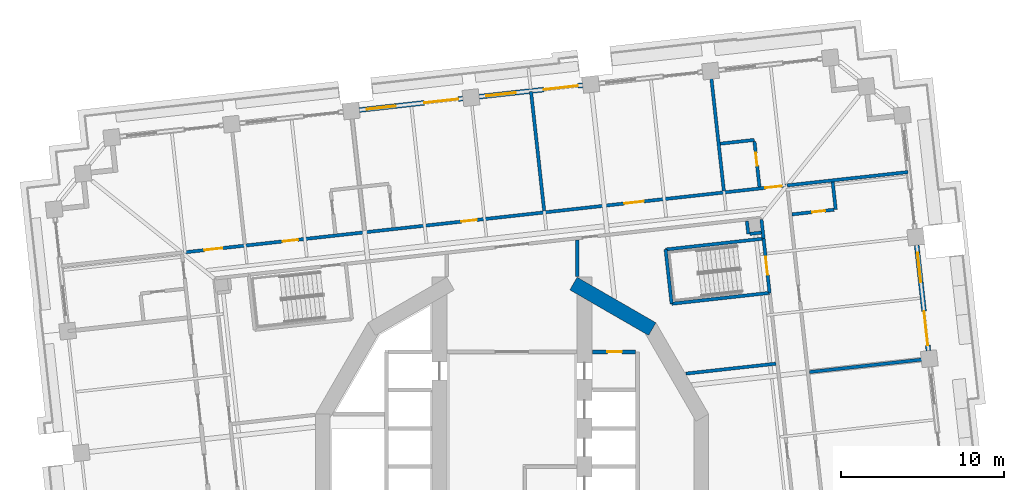
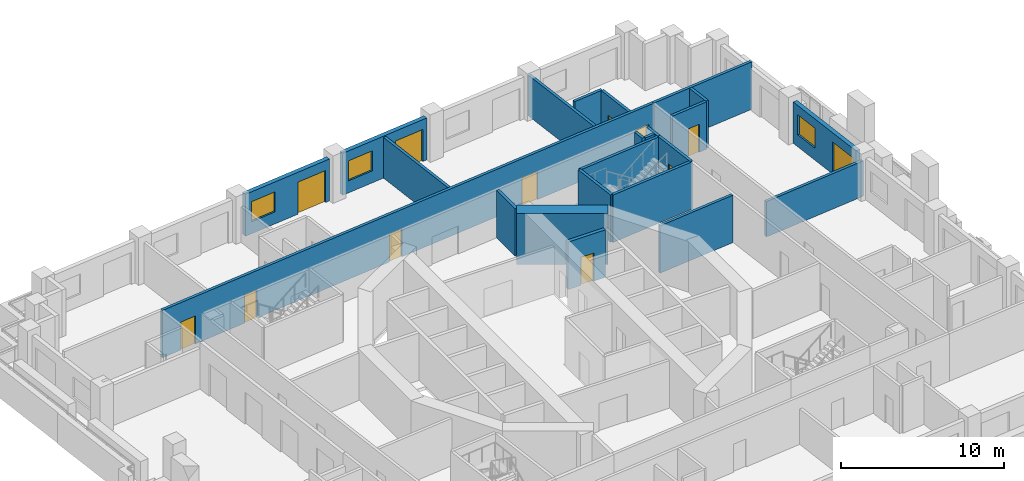
# One storey, part 9 of 19: 23 walls, 12 doors, 3 windows, 15 openings.
"""IFC4 building model written with IfcOpenShell, lengths in metres."""

from ifc_helpers import new_model, si_unit, direction, frame, frame_2d, origin, place, context, subcontext, project, spatial, rectangle, extrude, material, layer, layer_set, type_object, element, fill, save


model = new_model("IFC4")

# Units and contexts
model_context = context("Model", 3, precision=1e-05, world=origin(), true_north=direction((0.0, 1.0)))
body_context = subcontext(model_context, "Body", "Model", "MODEL_VIEW")
ifc_project = project(units=[si_unit("LENGTHUNIT", "METRE"), si_unit("AREAUNIT", "SQUARE_METRE"), si_unit("VOLUMEUNIT", "CUBIC_METRE"), si_unit("PLANEANGLEUNIT", "RADIAN"), si_unit("MASSUNIT", "GRAM", prefix="KILO")], contexts=[model_context])

# Site, building, storey
site_placement = place(None, origin())
site = spatial("IfcSite", under=ifc_project, at=site_placement, CompositionType="ELEMENT")
building_placement = place(site_placement, origin())
building = spatial("IfcBuilding", under=site, at=building_placement, Name="Cantera Rosa Tower", CompositionType="ELEMENT")
storey_placement = place(building_placement, frame((0.0, 0.0, 65.300048828125)))
storey = spatial("IfcBuildingStorey", under=building, at=storey_placement, Name="L13", CompositionType="ELEMENT", Elevation=65.300048828125)

# Walls
ifc_material_1 = material(Name="Gypsum board partition")
ifc_layer_1 = layer(ifc_material_1, 0.199951171875)
ifc_layer_set_1 = layer_set([ifc_layer_1], Name="CORRIDOR WALL 200 H3550")
wall_type_1 = type_object("IfcWallType", Name="CORRIDOR WALL 200 H3550", PredefinedType="PARTITIONING", material=ifc_layer_set_1)
wall_1_placement = place(storey_placement, frame((4.0, 11.667236328125, 0.0), z_axis=(0.0, 0.0, 1.0), x_axis=(0.0, 1.0, 0.0)))
element("IfcWall", 1, at=wall_1_placement, inside=storey, type_object=wall_type_1, Name="CORRIDOR WALL L13-061", PredefinedType="PARTITIONING", context=body_context, shape_type="SweptSolid", body=[
    extrude(rectangle(XDim=2.259765625, YDim=0.199951171875, at=frame_2d((1.1298828125, 0.0))), origin(), (0.0, 0.0, 1.0), 3.550048828125),
])
wall_2_placement = place(storey_placement, frame((15.44970703125, 14.001708984375, 0.0), z_axis=(0.0, 0.0, 1.0), x_axis=(-0.110341316069, 0.993893753863, 0.0)))
element("IfcWall", 2, at=wall_2_placement, inside=storey, type_object=wall_type_1, Name="CORRIDOR WALL L13-088", PredefinedType="PARTITIONING", context=body_context, shape_type="SweptSolid", body=[
    extrude(rectangle(XDim=1.188232421875, YDim=0.199951171875, at=frame_2d((0.59423828125, 0.0))), origin(), (0.0, 0.0, 1.0), 3.550048828125),
])

# Wall, openings, doors
wall_3_placement = place(storey_placement, frame((16.898193359375, 17.26953125, 0.0), z_axis=(0.0, 0.0, 1.0), x_axis=(-0.993896862852, -0.11031330841, 0.0)))
wall_3 = element("IfcWall", 3, at=wall_3_placement, inside=storey, type_object=wall_type_1, Name="CORRIDOR WALL L13-092", PredefinedType="PARTITIONING", context=body_context, shape_type="SweptSolid", body=[
    extrude(rectangle(XDim=37.400146484375, YDim=0.199951171875, at=frame_2d((18.7001953125, 0.0))), origin(), (0.0, 0.0, 1.0), 3.550048828125),
])
opening_1_placement = place(wall_3_placement, frame((8.85009765625, 0.0, 0.0)))
opening_1 = element("IfcOpeningElement", 4, at=opening_1_placement, cuts=wall_3, Name="Opening L13-025", PredefinedType="OPENING", context=body_context, shape_type="SweptSolid", body=[
    extrude(rectangle(XDim=1.199951171875, YDim=2.10009765625, at=frame_2d((0.60009765625, 1.050048828125))), frame((0.0, 0.10986328125, 0.0), z_axis=(0.0, -1.0, 0.0), x_axis=(1.0, 0.0, 0.0)), (0.0, 0.0, 1.0), 0.219970703125),
])
opening_2_placement = place(wall_3_placement, frame((19.175048828125, 0.0, 0.0)))
opening_2 = element("IfcOpeningElement", 5, at=opening_2_placement, cuts=wall_3, Name="Opening L13-026", PredefinedType="OPENING", context=body_context, shape_type="SweptSolid", body=[
    extrude(rectangle(XDim=0.949951171875, YDim=2.10009765625, at=frame_2d((0.47509765625, 1.050048828125))), frame((0.0, 0.10986328125, 0.0), z_axis=(0.0, -1.0, 0.0), x_axis=(1.0, 0.0, 0.0)), (0.0, 0.0, 1.0), 0.219970703125),
])
opening_3_placement = place(wall_3_placement, frame((30.22509765625, 0.0, 0.0)))
opening_3 = element("IfcOpeningElement", 6, at=opening_3_placement, cuts=wall_3, Name="Opening L13-028", PredefinedType="OPENING", context=body_context, shape_type="SweptSolid", body=[
    extrude(rectangle(XDim=0.949951171875, YDim=2.10009765625, at=frame_2d((0.47509765625, 1.050048828125))), frame((0.0, 0.10986328125, 0.0), z_axis=(0.0, -1.0, 0.0), x_axis=(1.0, 0.0, 0.0)), (0.0, 0.0, 1.0), 0.219970703125),
])
opening_4_placement = place(wall_3_placement, frame((0.35009765625, 0.0, 0.0)))
opening_4 = element("IfcOpeningElement", 7, at=opening_4_placement, cuts=wall_3, Name="Opening L13-030", PredefinedType="OPENING", context=body_context, shape_type="SweptSolid", body=[
    extrude(rectangle(XDim=1.0, YDim=2.10009765625, at=frame_2d((0.5, 1.050048828125))), frame((0.0, 0.10986328125, 0.0), z_axis=(0.0, -1.0, 0.0), x_axis=(1.0, 0.0, 0.0)), (0.0, 0.0, 1.0), 0.219970703125),
])
opening_5_placement = place(wall_3_placement, frame((34.89990234375, 0.0, 0.0)))
opening_5 = element("IfcOpeningElement", 8, at=opening_5_placement, cuts=wall_3, Name="Opening L13-032", PredefinedType="OPENING", context=body_context, shape_type="SweptSolid", body=[
    extrude(rectangle(XDim=1.10009765625, YDim=2.10009765625, at=frame_2d((0.550048828125, 1.050048828125))), frame((0.0, 0.10986328125, 0.0), z_axis=(0.0, -1.0, 0.0), x_axis=(1.0, 0.0, 0.0)), (0.0, 0.0, 1.0), 0.219970703125),
])
ifc_material_2 = material(Name="Timber door leaf", Category="wood")
door_type_1 = type_object("IfcDoorType", Name="ENTRANCE DOOR 1000x2100", OperationType="NOTDEFINED", PredefinedType="DOOR", material=ifc_material_2)
door_1_placement = place(opening_4_placement, origin())
door_1 = element("IfcDoor", 9, at=door_1_placement, inside=storey, type_object=door_type_1, Name="DOOR L13-030", OperationType="NOTDEFINED", OverallHeight=2.10009765625, OverallWidth=1.0, PredefinedType="DOOR", context=body_context, shape_type="SweptSolid", body=[
    extrude(rectangle(XDim=1.0, YDim=2.10009765625, at=frame_2d((0.5, 1.050048828125))), frame((0.0, 0.02490234375, 0.0), z_axis=(0.0, -1.0, 0.0), x_axis=(1.0, 0.0, 0.0)), (0.0, 0.0, 1.0), 0.050048828125),
])
fill(opening_4, door_1)
ifc_material_3 = material(Name="Timber door leaf", Category="wood")
door_type_2 = type_object("IfcDoorType", Name="ROOM DOOR 1100x2100", OperationType="NOTDEFINED", PredefinedType="DOOR", material=ifc_material_3)
door_2_placement = place(opening_5_placement, origin())
door_2 = element("IfcDoor", 10, at=door_2_placement, inside=storey, type_object=door_type_2, Name="DOOR L13-032", OperationType="NOTDEFINED", OverallHeight=2.10009765625, OverallWidth=1.10009765625, PredefinedType="DOOR", context=body_context, shape_type="SweptSolid", body=[
    extrude(rectangle(XDim=1.10009765625, YDim=2.10009765625, at=frame_2d((0.550048828125, 1.050048828125))), frame((0.0, 0.02490234375, 0.0), z_axis=(0.0, -1.0, 0.0), x_axis=(1.0, 0.0, 0.0)), (0.0, 0.0, 1.0), 0.050048828125),
])
fill(opening_5, door_2)
ifc_material_4 = material(Name="Timber door leaf", Category="wood")
door_type_3 = type_object("IfcDoorType", Name="ROOM DOOR 1200x2100", OperationType="NOTDEFINED", PredefinedType="DOOR", material=ifc_material_4)
door_3_placement = place(opening_1_placement, origin())
door_3 = element("IfcDoor", 11, at=door_3_placement, inside=storey, type_object=door_type_3, Name="DOOR L13-025", OperationType="NOTDEFINED", OverallHeight=2.10009765625, OverallWidth=1.199951171875, PredefinedType="DOOR", context=body_context, shape_type="SweptSolid", body=[
    extrude(rectangle(XDim=1.199951171875, YDim=2.10009765625, at=frame_2d((0.60009765625, 1.050048828125))), frame((0.0, 0.02490234375, 0.0), z_axis=(0.0, -1.0, 0.0), x_axis=(1.0, 0.0, 0.0)), (0.0, 0.0, 1.0), 0.050048828125),
])
fill(opening_1, door_3)
ifc_material_5 = material(Name="Timber door leaf", Category="wood")
door_type_4 = type_object("IfcDoorType", Name="ROOM DOOR 950x2100", OperationType="NOTDEFINED", PredefinedType="DOOR", material=ifc_material_5)
door_4_placement = place(opening_2_placement, origin())
door_4 = element("IfcDoor", 12, at=door_4_placement, inside=storey, type_object=door_type_4, Name="DOOR L13-026", OperationType="NOTDEFINED", OverallHeight=2.10009765625, OverallWidth=0.949951171875, PredefinedType="DOOR", context=body_context, shape_type="SweptSolid", body=[
    extrude(rectangle(XDim=0.949951171875, YDim=2.10009765625, at=frame_2d((0.47509765625, 1.050048828125))), frame((0.0, 0.02490234375, 0.0), z_axis=(0.0, -1.0, 0.0), x_axis=(1.0, 0.0, 0.0)), (0.0, 0.0, 1.0), 0.050048828125),
])
fill(opening_2, door_4)
door_5_placement = place(opening_3_placement, origin())
door_5 = element("IfcDoor", 13, at=door_5_placement, inside=storey, type_object=door_type_4, Name="DOOR L13-028", OperationType="NOTDEFINED", OverallHeight=2.10009765625, OverallWidth=0.949951171875, PredefinedType="DOOR", context=body_context, shape_type="SweptSolid", body=[
    extrude(rectangle(XDim=0.949951171875, YDim=2.10009765625, at=frame_2d((0.47509765625, 1.050048828125))), frame((0.0, 0.02490234375, 0.0), z_axis=(0.0, -1.0, 0.0), x_axis=(1.0, 0.0, 0.0)), (0.0, 0.0, 1.0), 0.050048828125),
])
fill(opening_3, door_5)

# Wall, openings, window, door
ifc_material_6 = material(Name="Hollow clay masonry with cantera stone cladding", Category="masonry")
ifc_layer_2 = layer(ifc_material_6, 0.300048828125)
ifc_layer_set_2 = layer_set([ifc_layer_2], Name="EW-LOGGIA 300 H3090")
wall_type_2 = type_object("IfcWallType", Name="EW-LOGGIA 300 H3090", PredefinedType="SOLIDWALL", material=ifc_layer_set_2)
wall_4_placement = place(storey_placement, frame((25.570068359375, 7.124267578125, 0.0), z_axis=(0.0, 0.0, 1.0), x_axis=(-0.110312341265, 0.993896970196, 0.0)))
wall_4 = element("IfcWall", 14, at=wall_4_placement, inside=storey, type_object=wall_type_2, Name="EN-L13-W04", PredefinedType="SOLIDWALL", context=body_context, shape_type="SweptSolid", body=[
    extrude(rectangle(XDim=6.52001953125, YDim=0.300048828125, at=frame_2d((3.260009765625, 0.0))), origin(), (0.0, 0.0, 1.0), 3.08984375),
])
opening_6_placement = place(wall_4_placement, frame((0.330078125, 0.0, 0.0)))
opening_6 = element("IfcOpeningElement", 15, at=opening_6_placement, cuts=wall_4, Name="Opening L13-TD07", PredefinedType="OPENING", context=body_context, shape_type="SweptSolid", body=[
    extrude(rectangle(XDim=2.10009765625, YDim=2.39990234375, at=frame_2d((1.050048828125, 1.199951171875))), frame((0.0, 0.159912109375, 0.0), z_axis=(0.0, -1.0, 0.0), x_axis=(1.0, 0.0, 0.0)), (0.0, 0.0, 1.0), 0.320068359375),
])
opening_7_placement = place(wall_4_placement, frame((4.239990234375, 0.0, 0.89990234375)))
opening_7 = element("IfcOpeningElement", 16, at=opening_7_placement, cuts=wall_4, Name="Opening L13-W08", PredefinedType="OPENING", context=body_context, shape_type="SweptSolid", body=[
    extrude(rectangle(XDim=1.800048828125, YDim=1.5, at=frame_2d((0.89990234375, 0.75))), frame((0.0, 0.159912109375, 0.0), z_axis=(0.0, -1.0, 0.0), x_axis=(1.0, 0.0, 0.0)), (0.0, 0.0, 1.0), 0.320068359375),
])
ifc_material_7 = material(Name="Aluminium frame with clear glass", Category="aluminium")
window_type = type_object("IfcWindowType", Name="Hotel room window 1800x1500", PartitioningType="DOUBLE_PANEL_VERTICAL", PredefinedType="WINDOW", material=ifc_material_7)
window_1_placement = place(opening_7_placement, origin())
window_1 = element("IfcWindow", 17, at=window_1_placement, inside=storey, type_object=window_type, Name="WINDOW L13-W08", OverallHeight=1.5, OverallWidth=1.800048828125, PartitioningType="SINGLE_PANEL", PredefinedType="WINDOW", context=body_context, shape_type="SweptSolid", body=[
    extrude(rectangle(XDim=1.800048828125, YDim=1.5, at=frame_2d((0.89990234375, 0.75))), frame((0.0, 0.030029296875, 0.0), z_axis=(0.0, -1.0, 0.0), x_axis=(1.0, 0.0, 0.0)), (0.0, 0.0, 1.0), 0.06005859375),
])
fill(opening_7, window_1)
ifc_material_8 = material(Name="Aluminium frame with clear glass", Category="aluminium")
door_type_5 = type_object("IfcDoorType", Name="TD-H 2100x2400", OperationType="NOTDEFINED", PredefinedType="DOOR", material=ifc_material_8)
door_6_placement = place(opening_6_placement, origin())
door_6 = element("IfcDoor", 18, at=door_6_placement, inside=storey, type_object=door_type_5, Name="LOGGIA DOOR L13-TD07", OperationType="SLIDING_TO_LEFT", OverallHeight=2.39990234375, OverallWidth=2.10009765625, PredefinedType="DOOR", context=body_context, shape_type="SweptSolid", body=[
    extrude(rectangle(XDim=2.10009765625, YDim=2.39990234375, at=frame_2d((1.050048828125, 1.199951171875))), frame((0.0, 0.02490234375, 0.0), z_axis=(0.0, -1.0, 0.0), x_axis=(1.0, 0.0, 0.0)), (0.0, 0.0, 1.0), 0.050048828125),
])
fill(opening_6, door_6)

ifc_material_9 = material(Name="Hollow clay masonry with cantera stone cladding", Category="masonry")
ifc_layer_3 = layer(ifc_material_9, 0.300048828125)
ifc_layer_set_3 = layer_set([ifc_layer_3], Name="EW-LOGGIA 300 H3140")
wall_type_3 = type_object("IfcWallType", Name="EW-LOGGIA 300 H3140", PredefinedType="SOLIDWALL", material=ifc_layer_set_3)
wall_5_placement = place(storey_placement, frame((4.3427734375, 23.422119140625, 0.0), z_axis=(0.0, 0.0, 1.0), x_axis=(-0.993895824271, -0.110322665379, 0.0)))
wall_5 = element("IfcWall", 19, at=wall_5_placement, inside=storey, type_object=wall_type_3, Name="EN-L13-W10", PredefinedType="SOLIDWALL", context=body_context, shape_type="SweptSolid", body=[
    extrude(rectangle(XDim=6.39990234375, YDim=0.300048828125, at=frame_2d((3.199951171875, 0.0))), origin(), (0.0, 0.0, 1.0), 3.139892578125),
])
opening_8_placement = place(wall_5_placement, frame((0.300048828125, 0.0, 0.0)))
opening_8 = element("IfcOpeningElement", 20, at=opening_8_placement, cuts=wall_5, Name="Opening L13-TD15", PredefinedType="OPENING", context=body_context, shape_type="SweptSolid", body=[
    extrude(rectangle(XDim=2.10009765625, YDim=2.39990234375, at=frame_2d((1.050048828125, 1.199951171875))), frame((0.0, 0.159912109375, 0.0), z_axis=(0.0, -1.0, 0.0), x_axis=(1.0, 0.0, 0.0)), (0.0, 0.0, 1.0), 0.320068359375),
])
opening_9_placement = place(wall_5_placement, frame((4.14990234375, 0.0, 0.89990234375)))
opening_9 = element("IfcOpeningElement", 21, at=opening_9_placement, cuts=wall_5, Name="Opening L13-W16", PredefinedType="OPENING", context=body_context, shape_type="SweptSolid", body=[
    extrude(rectangle(XDim=1.800048828125, YDim=1.5, at=frame_2d((0.89990234375, 0.75))), frame((0.0, 0.159912109375, 0.0), z_axis=(0.0, -1.0, 0.0), x_axis=(1.0, 0.0, 0.0)), (0.0, 0.0, 1.0), 0.320068359375),
])
window_2_placement = place(opening_9_placement, origin())
window_2 = element("IfcWindow", 22, at=window_2_placement, inside=storey, type_object=window_type, Name="WINDOW L13-W16", OverallHeight=1.5, OverallWidth=1.800048828125, PartitioningType="SINGLE_PANEL", PredefinedType="WINDOW", context=body_context, shape_type="SweptSolid", body=[
    extrude(rectangle(XDim=1.800048828125, YDim=1.5, at=frame_2d((0.89990234375, 0.75))), frame((0.0, 0.030029296875, 0.0), z_axis=(0.0, -1.0, 0.0), x_axis=(1.0, 0.0, 0.0)), (0.0, 0.0, 1.0), 0.06005859375),
])
fill(opening_9, window_2)
door_7_placement = place(opening_8_placement, origin())
door_7 = element("IfcDoor", 23, at=door_7_placement, inside=storey, type_object=door_type_5, Name="LOGGIA DOOR L13-TD15", OperationType="SLIDING_TO_LEFT", OverallHeight=2.39990234375, OverallWidth=2.10009765625, PredefinedType="DOOR", context=body_context, shape_type="SweptSolid", body=[
    extrude(rectangle(XDim=2.10009765625, YDim=2.39990234375, at=frame_2d((1.050048828125, 1.199951171875))), frame((0.0, 0.02490234375, 0.0), z_axis=(0.0, -1.0, 0.0), x_axis=(1.0, 0.0, 0.0)), (0.0, 0.0, 1.0), 0.050048828125),
])
fill(opening_8, door_7)

wall_6_placement = place(storey_placement, frame((-3.011962890625, 22.605712890625, 0.0), z_axis=(0.0, 0.0, 1.0), x_axis=(-0.993896288542, -0.110318482689, 0.0)))
wall_6 = element("IfcWall", 24, at=wall_6_placement, inside=storey, type_object=wall_type_3, Name="EN-L13-W11", PredefinedType="SOLIDWALL", context=body_context, shape_type="SweptSolid", body=[
    extrude(rectangle(XDim=6.400146484375, YDim=0.300048828125, at=frame_2d((3.2001953125, 0.0))), origin(), (0.0, 0.0, 1.0), 3.139892578125),
])
opening_10_placement = place(wall_6_placement, frame((0.300048828125, 0.0, 0.0)))
opening_10 = element("IfcOpeningElement", 25, at=opening_10_placement, cuts=wall_6, Name="Opening L13-TD17", PredefinedType="OPENING", context=body_context, shape_type="SweptSolid", body=[
    extrude(rectangle(XDim=2.10009765625, YDim=2.39990234375, at=frame_2d((1.050048828125, 1.199951171875))), frame((0.0, 0.159912109375, 0.0), z_axis=(0.0, -1.0, 0.0), x_axis=(1.0, 0.0, 0.0)), (0.0, 0.0, 1.0), 0.320068359375),
])
opening_11_placement = place(wall_6_placement, frame((4.14990234375, 0.0, 0.89990234375)))
opening_11 = element("IfcOpeningElement", 26, at=opening_11_placement, cuts=wall_6, Name="Opening L13-W18", PredefinedType="OPENING", context=body_context, shape_type="SweptSolid", body=[
    extrude(rectangle(XDim=1.800048828125, YDim=1.5, at=frame_2d((0.89990234375, 0.75))), frame((0.0, 0.159912109375, 0.0), z_axis=(0.0, -1.0, 0.0), x_axis=(1.0, 0.0, 0.0)), (0.0, 0.0, 1.0), 0.320068359375),
])
window_3_placement = place(opening_11_placement, origin())
window_3 = element("IfcWindow", 27, at=window_3_placement, inside=storey, type_object=window_type, Name="WINDOW L13-W18", OverallHeight=1.5, OverallWidth=1.800048828125, PartitioningType="SINGLE_PANEL", PredefinedType="WINDOW", context=body_context, shape_type="SweptSolid", body=[
    extrude(rectangle(XDim=1.800048828125, YDim=1.5, at=frame_2d((0.89990234375, 0.75))), frame((0.0, 0.030029296875, 0.0), z_axis=(0.0, -1.0, 0.0), x_axis=(1.0, 0.0, 0.0)), (0.0, 0.0, 1.0), 0.06005859375),
])
fill(opening_11, window_3)
door_8_placement = place(opening_10_placement, origin())
door_8 = element("IfcDoor", 28, at=door_8_placement, inside=storey, type_object=door_type_5, Name="LOGGIA DOOR L13-TD17", OperationType="SLIDING_TO_LEFT", OverallHeight=2.39990234375, OverallWidth=2.10009765625, PredefinedType="DOOR", context=body_context, shape_type="SweptSolid", body=[
    extrude(rectangle(XDim=2.10009765625, YDim=2.39990234375, at=frame_2d((1.050048828125, 1.199951171875))), frame((0.0, 0.02490234375, 0.0), z_axis=(0.0, -1.0, 0.0), x_axis=(1.0, 0.0, 0.0)), (0.0, 0.0, 1.0), 0.050048828125),
])
fill(opening_10, door_8)

# Walls
ifc_material_10 = material(Name="Gypsum board partition")
ifc_layer_4 = layer(ifc_material_10, 0.199951171875)
ifc_layer_set_4 = layer_set([ifc_layer_4], Name="PARTITION 200 H3550")
wall_type_4 = type_object("IfcWallType", Name="PARTITION 200 H3550", PredefinedType="PARTITIONING", material=ifc_layer_set_4)
wall_7_placement = place(storey_placement, frame((10.67822265625, 5.712890625, 0.0), z_axis=(0.0, 0.0, 1.0), x_axis=(0.993900868117, 0.110277215939, 0.0)))
element("IfcWall", 29, at=wall_7_placement, inside=storey, type_object=wall_type_4, Name="PARTITION L13-076", PredefinedType="PARTITIONING", context=body_context, shape_type="SweptSolid", body=[
    extrude(rectangle(XDim=5.556884765625, YDim=0.199951171875, at=frame_2d((2.7783203125, 0.0))), origin(), (0.0, 0.0, 1.0), 3.550048828125),
])
wall_8_placement = place(storey_placement, frame((12.790283203125, 19.83203125, 0.0), z_axis=(0.0, 0.0, 1.0), x_axis=(0.993895071737, 0.11032944474, 0.0)))
element("IfcWall", 30, at=wall_8_placement, inside=storey, type_object=wall_type_4, Name="PARTITION L13-078", PredefinedType="PARTITIONING", context=body_context, shape_type="SweptSolid", body=[
    extrude(rectangle(XDim=2.10009765625, YDim=0.199951171875, at=frame_2d((1.050048828125, 0.0))), origin(), (0.0, 0.0, 1.0), 3.550048828125),
])
wall_9_placement = place(storey_placement, frame((14.42431640625, 15.083251953125, 0.0), z_axis=(0.0, 0.0, 1.0), x_axis=(0.110163574714, -0.993913470482, 0.0)))
element("IfcWall", 31, at=wall_9_placement, inside=storey, type_object=wall_type_4, Name="PARTITION L13-079", PredefinedType="PARTITIONING", context=body_context, shape_type="SweptSolid", body=[
    extrude(rectangle(XDim=0.800048828125, YDim=0.199951171875, at=frame_2d((0.39990234375, 0.0))), origin(), (0.0, 0.0, 1.0), 3.550048828125),
])
wall_10_placement = place(storey_placement, frame((14.61181640625, 14.299072265625, 0.0), z_axis=(0.0, 0.0, 1.0), x_axis=(0.993870969748, 0.110546349969, 0.0)))
element("IfcWall", 32, at=wall_10_placement, inside=storey, type_object=wall_type_4, Name="PARTITION L13-080", PredefinedType="PARTITIONING", context=body_context, shape_type="SweptSolid", body=[
    extrude(rectangle(XDim=0.7001953125, YDim=0.199951171875, at=frame_2d((0.35009765625, 0.0))), origin(), (0.0, 0.0, 1.0), 3.550048828125),
])

# Wall, opening, door
wall_11_placement = place(storey_placement, frame((14.888671875, 19.964111328125, 0.0), z_axis=(0.0, 0.0, 1.0), x_axis=(0.110307106705, -0.993897551164, 0.0)))
wall_11 = element("IfcWall", 33, at=wall_11_placement, inside=storey, type_object=wall_type_4, Name="PARTITION L13-081", PredefinedType="PARTITIONING", context=body_context, shape_type="SweptSolid", body=[
    extrude(rectangle(XDim=2.7998046875, YDim=0.199951171875, at=frame_2d((1.39990234375, 0.0))), origin(), (0.0, 0.0, 1.0), 3.550048828125),
])
opening_12_placement = place(wall_11_placement, frame((0.699951171875, 0.0, 0.0)))
opening_12 = element("IfcOpeningElement", 34, at=opening_12_placement, cuts=wall_11, Name="Opening L13-031", PredefinedType="OPENING", context=body_context, shape_type="SweptSolid", body=[
    extrude(rectangle(XDim=0.800048828125, YDim=2.10009765625, at=frame_2d((0.39990234375, 1.050048828125))), frame((0.0, 0.10986328125, 0.0), z_axis=(0.0, -1.0, 0.0), x_axis=(1.0, 0.0, 0.0)), (0.0, 0.0, 1.0), 0.219970703125),
])
ifc_material_11 = material(Name="Timber door leaf", Category="wood")
door_type_6 = type_object("IfcDoorType", Name="BATHROOM DOOR 800x2100", OperationType="NOTDEFINED", PredefinedType="DOOR", material=ifc_material_11)
door_9_placement = place(opening_12_placement, origin())
door_9 = element("IfcDoor", 35, at=door_9_placement, inside=storey, type_object=door_type_6, Name="DOOR L13-031", OperationType="NOTDEFINED", OverallHeight=2.10009765625, OverallWidth=0.800048828125, PredefinedType="DOOR", context=body_context, shape_type="SweptSolid", body=[
    extrude(rectangle(XDim=0.800048828125, YDim=2.10009765625, at=frame_2d((0.39990234375, 1.050048828125))), frame((0.0, 0.02490234375, 0.0), z_axis=(0.0, -1.0, 0.0), x_axis=(1.0, 0.0, 0.0)), (0.0, 0.0, 1.0), 0.050048828125),
])
fill(opening_12, door_9)

# Wall
wall_12_placement = place(storey_placement, frame((19.69189453125, 17.47900390625, 0.0), z_axis=(0.0, 0.0, 1.0), x_axis=(0.110431526075, -0.993883734674, 0.0)))
element("IfcWall", 36, at=wall_12_placement, inside=storey, type_object=wall_type_4, Name="PARTITION L13-101", PredefinedType="PARTITIONING", context=body_context, shape_type="SweptSolid", body=[
    extrude(rectangle(XDim=1.7001953125, YDim=0.199951171875, at=frame_2d((0.85009765625, 0.0))), origin(), (0.0, 0.0, 1.0), 3.550048828125),
])

# Wall, opening, door
wall_13_placement = place(storey_placement, frame((19.7802734375, 15.7783203125, 0.0), z_axis=(0.0, 0.0, 1.0), x_axis=(-0.993895180132, -0.110328468272, 0.0)))
wall_13 = element("IfcWall", 37, at=wall_13_placement, inside=storey, type_object=wall_type_4, Name="PARTITION L13-102", PredefinedType="PARTITIONING", context=body_context, shape_type="SweptSolid", body=[
    extrude(rectangle(XDim=2.60009765625, YDim=0.199951171875, at=frame_2d((1.300048828125, 0.0))), origin(), (0.0, 0.0, 1.0), 3.550048828125),
])
opening_13_placement = place(wall_13_placement, frame((0.56396484375, 0.0, 0.0)))
opening_13 = element("IfcOpeningElement", 38, at=opening_13_placement, cuts=wall_13, Name="Opening L13-024", PredefinedType="OPENING", context=body_context, shape_type="SweptSolid", body=[
    extrude(rectangle(XDim=0.800048828125, YDim=2.10009765625, at=frame_2d((0.39990234375, 1.050048828125))), frame((0.0, 0.10986328125, 0.0), z_axis=(0.0, -1.0, 0.0), x_axis=(1.0, 0.0, 0.0)), (0.0, 0.0, 1.0), 0.219970703125),
])
door_10_placement = place(opening_13_placement, origin())
door_10 = element("IfcDoor", 39, at=door_10_placement, inside=storey, type_object=door_type_6, Name="DOOR L13-024", OperationType="NOTDEFINED", OverallHeight=2.10009765625, OverallWidth=0.800048828125, PredefinedType="DOOR", context=body_context, shape_type="SweptSolid", body=[
    extrude(rectangle(XDim=0.800048828125, YDim=2.10009765625, at=frame_2d((0.39990234375, 1.050048828125))), frame((0.0, 0.02490234375, 0.0), z_axis=(0.0, -1.0, 0.0), x_axis=(1.0, 0.0, 0.0)), (0.0, 0.0, 1.0), 0.050048828125),
])
fill(opening_13, door_10)

# Walls
ifc_material_12 = material(Name="Gypsum board partition")
ifc_layer_5 = layer(ifc_material_12, 0.199951171875)
ifc_layer_set_5 = layer_set([ifc_layer_5], Name="PARTY WALL 200 H2650")
wall_type_5 = type_object("IfcWallType", Name="PARTY WALL 200 H2650", PredefinedType="PARTITIONING", material=ifc_layer_set_5)
wall_14_placement = place(storey_placement, frame((18.2705078125, 5.810791015625, 0.0), z_axis=(0.0, 0.0, 1.0), x_axis=(0.993897058864, 0.11031154238, 0.0)))
element("IfcWall", 40, at=wall_14_placement, inside=storey, type_object=wall_type_5, Name="PARTY WALL L13-096", PredefinedType="PARTITIONING", context=body_context, shape_type="SweptSolid", body=[
    extrude(rectangle(XDim=7.369873046875, YDim=0.199951171875, at=frame_2d((3.68505859375, 0.0))), origin(), (0.0, 0.0, 1.0), 2.64990234375),
])
ifc_material_13 = material(Name="Gypsum board partition")
ifc_layer_6 = layer(ifc_material_13, 0.199951171875)
ifc_layer_set_6 = layer_set([ifc_layer_6], Name="PARTY WALL 200 H3050")
wall_type_6 = type_object("IfcWallType", Name="PARTY WALL 200 H3050", PredefinedType="PARTITIONING", material=ifc_layer_set_6)
wall_15_placement = place(storey_placement, frame((1.978515625, 15.714111328125, 0.0), z_axis=(0.0, 0.0, 1.0), x_axis=(-0.110307910555, 0.993897461949, 0.0)))
element("IfcWall", 41, at=wall_15_placement, inside=storey, type_object=wall_type_6, Name="PARTY WALL L13-057", PredefinedType="PARTITIONING", context=body_context, shape_type="SweptSolid", body=[
    extrude(rectangle(XDim=7.3701171875, YDim=0.199951171875, at=frame_2d((3.68505859375, 0.0))), origin(), (0.0, 0.0, 1.0), 3.050048828125),
])
wall_16_placement = place(storey_placement, frame((12.197998046875, 24.263671875, 0.0), z_axis=(0.0, 0.0, 1.0), x_axis=(0.11031154238, -0.993897058864, 0.0)))
element("IfcWall", 42, at=wall_16_placement, inside=storey, type_object=wall_type_6, Name="PARTY WALL L13-077", PredefinedType="PARTITIONING", context=body_context, shape_type="SweptSolid", body=[
    extrude(rectangle(XDim=7.369873046875, YDim=0.199951171875, at=frame_2d((3.68505859375, 0.0))), origin(), (0.0, 0.0, 1.0), 3.050048828125),
])
ifc_material_14 = material(Name="Gypsum board partition")
ifc_layer_7 = layer(ifc_material_14, 0.199951171875)
ifc_layer_set_7 = layer_set([ifc_layer_7], Name="PARTY WALL 200 H3550")
wall_type_7 = type_object("IfcWallType", Name="PARTY WALL 200 H3550", PredefinedType="PARTITIONING", material=ifc_layer_set_7)
wall_17_placement = place(storey_placement, frame((16.898193359375, 17.26953125, 0.0), z_axis=(0.0, 0.0, 1.0), x_axis=(0.993897676912, 0.110305973679, 0.0)))
element("IfcWall", 43, at=wall_17_placement, inside=storey, type_object=wall_type_7, Name="PARTY WALL L13-093", PredefinedType="PARTITIONING", context=body_context, shape_type="SweptSolid", body=[
    extrude(rectangle(XDim=7.469970703125, YDim=0.199951171875, at=frame_2d((3.73486328125, 0.0))), origin(), (0.0, 0.0, 1.0), 3.550048828125),
])
ifc_material_15 = material(Name="Concrete C70/85", Category="concrete")
ifc_layer_8 = layer(ifc_material_15, 0.89990234375)
ifc_layer_set_8 = layer_set([ifc_layer_8], Name="RC CORE WALL 900 C70/85")
wall_type_8 = type_object("IfcWallType", Name="RC CORE WALL 900 C70/85", PredefinedType="SHEAR", material=ifc_layer_set_8)
wall_18_placement = place(storey_placement, frame((3.77490234375, 11.242919921875, 0.0), z_axis=(0.0, 0.0, 1.0), x_axis=(0.866026961591, -0.49999730179, 0.0)))
element("IfcWall", 44, at=wall_18_placement, inside=storey, type_object=wall_type_8, Name="CW-E1 L13", PredefinedType="SHEAR", context=body_context, shape_type="SweptSolid", body=[
    extrude(rectangle(XDim=5.58740234375, YDim=0.89990234375, at=frame_2d((2.793701171875, 0.0))), origin(), (0.0, 0.0, 1.0), 3.800048828125),
])

# Wall, opening, door
ifc_material_16 = material(Name="Masonry blockwork", Category="masonry")
ifc_layer_9 = layer(ifc_material_16, 0.25)
ifc_layer_set_9 = layer_set([ifc_layer_9], Name="SHAFT WALL 250 H3550")
wall_type_9 = type_object("IfcWallType", Name="SHAFT WALL 250 H3550", PredefinedType="SOLIDWALL", material=ifc_layer_set_9)
wall_19_placement = place(storey_placement, frame((7.580078125, 7.050048828125, 0.0), z_axis=(0.0, 0.0, 1.0), x_axis=(-1.0, 0.0, 0.0)))
wall_19 = element("IfcWall", 45, at=wall_19_placement, inside=storey, type_object=wall_type_9, Name="SHAFT WALL L13-070", PredefinedType="SOLIDWALL", context=body_context, shape_type="SweptSolid", body=[
    extrude(rectangle(XDim=2.650146484375, YDim=0.25, at=frame_2d((1.3251953125, 0.0))), origin(), (0.0, 0.0, 1.0), 3.550048828125),
])
opening_14_placement = place(wall_19_placement, frame((0.830078125, 0.0, 0.0)))
opening_14 = element("IfcOpeningElement", 46, at=opening_14_placement, cuts=wall_19, Name="Opening L13-047", PredefinedType="OPENING", context=body_context, shape_type="SweptSolid", body=[
    extrude(rectangle(XDim=0.89990234375, YDim=2.10009765625, at=frame_2d((0.449951171875, 1.050048828125))), frame((0.0, 0.135009765625, 0.0), z_axis=(0.0, -1.0, 0.0), x_axis=(1.0, 0.0, 0.0)), (0.0, 0.0, 1.0), 0.27001953125),
])
ifc_material_17 = material(Name="Timber door leaf", Category="wood")
door_type_7 = type_object("IfcDoorType", Name="SERVICE DOOR 900x2100", OperationType="NOTDEFINED", PredefinedType="DOOR", material=ifc_material_17)
door_11_placement = place(opening_14_placement, origin())
door_11 = element("IfcDoor", 47, at=door_11_placement, inside=storey, type_object=door_type_7, Name="RISER DOOR L13-047", OperationType="NOTDEFINED", OverallHeight=2.10009765625, OverallWidth=0.89990234375, PredefinedType="DOOR", context=body_context, shape_type="SweptSolid", body=[
    extrude(rectangle(XDim=0.89990234375, YDim=2.10009765625, at=frame_2d((0.449951171875, 1.050048828125))), frame((0.0, 0.02490234375, 0.0), z_axis=(0.0, -1.0, 0.0), x_axis=(1.0, 0.0, 0.0)), (0.0, 0.0, 1.0), 0.050048828125),
])
fill(opening_14, door_11)

# Walls
ifc_material_18 = material(Name="Concrete C50/60", Category="concrete")
ifc_layer_10 = layer(ifc_material_18, 0.199951171875)
ifc_layer_set_10 = layer_set([ifc_layer_10], Name="STAIR WALL 200 H3550")
wall_type_10 = type_object("IfcWallType", Name="STAIR WALL 200 H3550", PredefinedType="SOLIDWALL", material=ifc_layer_set_10)
wall_20_placement = place(storey_placement, frame((9.43359375, 13.333740234375, 0.0), z_axis=(0.0, 0.0, 1.0), x_axis=(0.11027153821, -0.993901498067, 0.0)))
element("IfcWall", 48, at=wall_20_placement, inside=storey, type_object=wall_type_10, Name="STAIR WALL L13-074", PredefinedType="SOLIDWALL", context=body_context, shape_type="SweptSolid", body=[
    extrude(rectangle(XDim=3.349853515625, YDim=0.199951171875, at=frame_2d((1.6748046875, 0.0))), origin(), (0.0, 0.0, 1.0), 3.550048828125),
])
wall_21_placement = place(storey_placement, frame((9.802978515625, 10.00439453125, 0.0), z_axis=(0.0, 0.0, 1.0), x_axis=(0.993897498792, 0.11030757859, 0.0)))
element("IfcWall", 49, at=wall_21_placement, inside=storey, type_object=wall_type_10, Name="STAIR WALL L13-075", PredefinedType="SOLIDWALL", context=body_context, shape_type="SweptSolid", body=[
    extrude(rectangle(XDim=6.05322265625, YDim=0.199951171875, at=frame_2d((3.026611328125, 0.0))), origin(), (0.0, 0.0, 1.0), 3.550048828125),
])
wall_22_placement = place(storey_placement, frame((15.44970703125, 14.001708984375, 0.0), z_axis=(0.0, 0.0, 1.0), x_axis=(-0.993892585125, -0.110351842907, 0.0)))
element("IfcWall", 50, at=wall_22_placement, inside=storey, type_object=wall_type_10, Name="STAIR WALL L13-087", PredefinedType="SOLIDWALL", context=body_context, shape_type="SweptSolid", body=[
    extrude(rectangle(XDim=6.052978515625, YDim=0.199951171875, at=frame_2d((3.0263671875, 0.0))), origin(), (0.0, 0.0, 1.0), 3.550048828125),
])

# Wall, opening, door
wall_23_placement = place(storey_placement, frame((15.8193359375, 10.672119140625, 0.0), z_axis=(0.0, 0.0, 1.0), x_axis=(-0.110335541424, 0.993894394943, 0.0)))
wall_23 = element("IfcWall", 51, at=wall_23_placement, inside=storey, type_object=wall_type_10, Name="STAIR WALL L13-089", PredefinedType="SOLIDWALL", context=body_context, shape_type="SweptSolid", body=[
    extrude(rectangle(XDim=3.35009765625, YDim=0.199951171875, at=frame_2d((1.675048828125, 0.0))), origin(), (0.0, 0.0, 1.0), 3.550048828125),
])
opening_15_placement = place(wall_23_placement, frame((1.125, 0.0, 0.0)))
opening_15 = element("IfcOpeningElement", 52, at=opening_15_placement, cuts=wall_23, Name="Opening L13-001", PredefinedType="OPENING", context=body_context, shape_type="SweptSolid", body=[
    extrude(rectangle(XDim=1.10009765625, YDim=2.10009765625, at=frame_2d((0.550048828125, 1.050048828125))), frame((0.0, 0.10986328125, 0.0), z_axis=(0.0, -1.0, 0.0), x_axis=(1.0, 0.0, 0.0)), (0.0, 0.0, 1.0), 0.219970703125),
])
ifc_material_19 = material(Name="Steel S355J2 (EN 10025-2)", Category="steel")
door_type_8 = type_object("IfcDoorType", Name="STAIR DOOR 1100x2100", OperationType="NOTDEFINED", PredefinedType="DOOR", material=ifc_material_19)
door_12_placement = place(opening_15_placement, origin())
door_12 = element("IfcDoor", 53, at=door_12_placement, inside=storey, type_object=door_type_8, Name="DOOR L13-001", OperationType="NOTDEFINED", OverallHeight=2.10009765625, OverallWidth=1.10009765625, PredefinedType="DOOR", context=body_context, shape_type="SweptSolid", body=[
    extrude(rectangle(XDim=1.10009765625, YDim=2.10009765625, at=frame_2d((0.550048828125, 1.050048828125))), frame((0.0, 0.02490234375, 0.0), z_axis=(0.0, -1.0, 0.0), x_axis=(1.0, 0.0, 0.0)), (0.0, 0.0, 1.0), 0.050048828125),
])
fill(opening_15, door_12)

save(model, "model.ifc")
